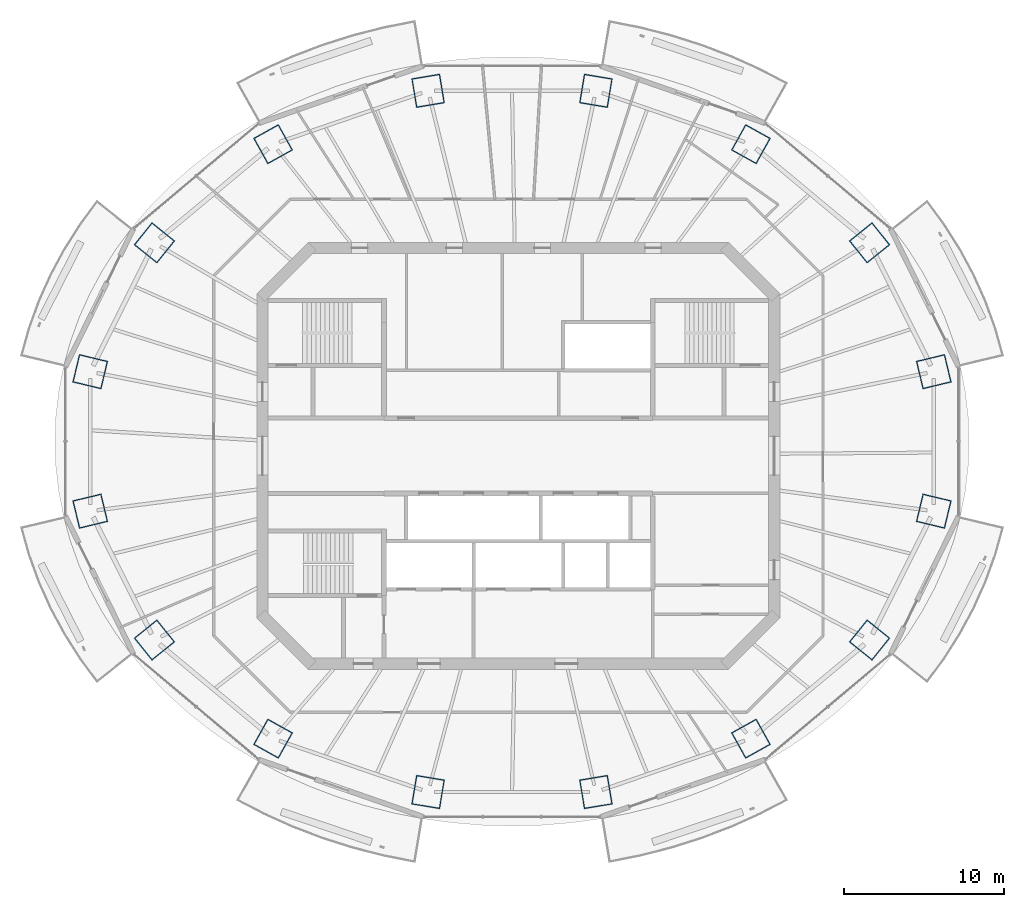
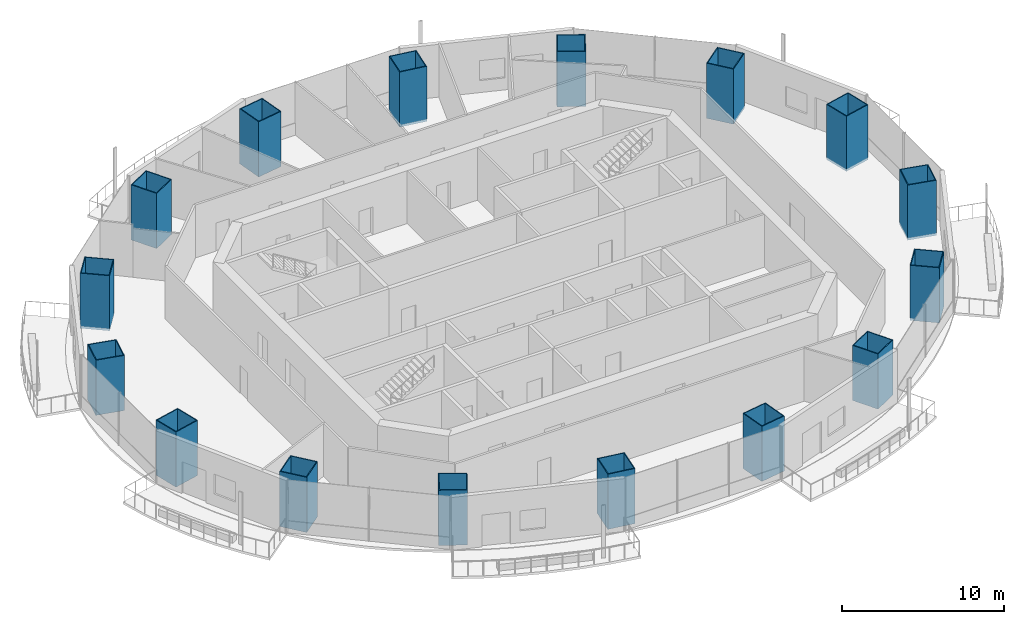
# One storey, part 1 of 16: 16 columns.
"""IFC4 building model written with IfcOpenShell, lengths in metres."""

from ifc_helpers import new_model, si_unit, direction, frame, origin, origin_2d, place, context, subcontext, project, spatial, rectangle, hollow_rectangle, extrude, material, material_profile, profile_set, type_object, element, save


model = new_model("IFC4")

# Units and contexts
model_context = context("Model", 3, precision=1e-05, world=origin(), true_north=direction((0.0, 1.0)))
body_context = subcontext(model_context, "Body", "Model", "MODEL_VIEW")
ifc_project = project(units=[si_unit("LENGTHUNIT", "METRE"), si_unit("AREAUNIT", "SQUARE_METRE"), si_unit("VOLUMEUNIT", "CUBIC_METRE"), si_unit("PLANEANGLEUNIT", "RADIAN"), si_unit("MASSUNIT", "GRAM", prefix="KILO")], contexts=[model_context])

# Site, building, storey
site_placement = place(None, origin())
site = spatial("IfcSite", under=ifc_project, at=site_placement, CompositionType="ELEMENT")
building_placement = place(site_placement, origin())
building = spatial("IfcBuilding", under=site, at=building_placement, Name="Marenthal Gate Tower", CompositionType="ELEMENT")
storey_placement = place(building_placement, frame((0.0, 0.0, 305.25)))
storey = spatial("IfcBuildingStorey", under=building, at=storey_placement, Name="L68", CompositionType="ELEMENT", Elevation=305.25)

# Columns
ifc_material_1 = material(Name="Steel S460", Category="steel")
ifc_material_profile_1 = material_profile(ifc_material_1, hollow_rectangle(XDim=1.800048828125, YDim=1.85009765625, WallThickness=0.06005859375, at=origin_2d()), Name="CFT BOX 1850X1800X60")
ifc_material_2 = material(Name="Concrete 70 MPa", Category="concrete")
ifc_material_profile_2 = material_profile(ifc_material_2, rectangle(XDim=1.679931640625, YDim=1.72998046875, at=origin_2d()), Name="CFT BOX 1850X1800X60 INFILL")
ifc_profile_set = profile_set([ifc_material_profile_1, ifc_material_profile_2], Name="Steel S460 shell, Concrete 70 MPa infill")
column_type = type_object("IfcColumnType", Name="CFT BOX 1850X1800X60", PredefinedType="COLUMN", material=ifc_profile_set)
for number, where, z_axis, x_axis, name in (
    (1, (25.979248046875, 5.26171875, -0.179931640625), (0.0, 0.0, 1.0), (0.232715542746, -0.972544845323, 0.0), "COL-L68-01"),
    (2, (21.963134765625, 13.3212890625, -0.179931640625), (0.0, 0.0, 1.0), (0.626499070203, -0.779422167401, 0.0), "COL-L68-02"),
    (3, (14.54248046875, 19.489990234375, -0.179931640625), (0.0, 0.0, 1.0), (0.874199687872, -0.485566582174, 0.0), "COL-L68-03"),
    (4, (4.84716796875, 22.828369140625, -0.179931640625), (0.0, 0.0, 1.0), (0.986603499759, -0.163136550975, 0.0), "COL-L68-04"),
    (5, (-5.647216796875, 22.828369140625, -0.179931640625), (0.0, 0.0, 1.0), (0.986603499759, 0.163136550975, 0.0), "COL-L68-05"),
    (6, (-15.342529296875, 19.489990234375, -0.179931640625), (0.0, 0.0, 1.0), (0.874199687872, 0.485566582174, 0.0), "COL-L68-06"),
    (7, (-22.76318359375, 13.3212890625, -0.179931640625), (0.0, 0.0, 1.0), (0.626499070203, 0.779422167401, 0.0), "COL-L68-07"),
    (8, (-26.779296875, 5.26171875, -0.179931640625), (0.0, 0.0, 1.0), (0.232715542746, 0.972544845323, 0.0), "COL-L68-08"),
    (9, (-26.779296875, -3.4619140625, -0.179931640625), (0.0, 0.0, 1.0), (-0.232715542746, 0.972544845323, 0.0), "COL-L68-09"),
    (10, (-22.76318359375, -11.521484375, -0.179931640625), (0.0, 0.0, 1.0), (-0.626499070203, 0.779422167401, 0.0), "COL-L68-10"),
    (11, (-15.342529296875, -17.68994140625, -0.179931640625), (0.0, 0.0, 1.0), (-0.874199687872, 0.485566582174, 0.0), "COL-L68-11"),
    (12, (-5.647216796875, -21.0283203125, -0.179931640625), (0.0, 0.0, 1.0), (-0.986603499759, 0.163136550975, 0.0), "COL-L68-12"),
    (13, (4.84716796875, -21.0283203125, -0.179931640625), (0.0, 0.0, 1.0), (-0.986603499759, -0.163136550975, 0.0), "COL-L68-13"),
    (14, (14.54248046875, -17.68994140625, -0.179931640625), (0.0, 0.0, 1.0), (-0.874199687872, -0.485566582174, 0.0), "COL-L68-14"),
    (15, (21.963134765625, -11.521484375, -0.179931640625), (0.0, 0.0, 1.0), (-0.626499070203, -0.779422167401, 0.0), "COL-L68-15"),
    (16, (25.979248046875, -3.4619140625, -0.179931640625), (0.0, 0.0, 1.0), (-0.232715542746, -0.972544845323, 0.0), "COL-L68-16"),
):
    element("IfcColumn", number, at=place(storey_placement, frame(where, z_axis=z_axis, x_axis=x_axis)), inside=storey, type_object=column_type, Name=name, PredefinedType="COLUMN", context=body_context, shape_type="SweptSolid", body=[
        extrude(hollow_rectangle(XDim=1.800048828125, YDim=1.85009765625, WallThickness=0.06005859375, at=origin_2d()), origin(), (0.0, 0.0, 1.0), 4.14990234375),
    ])

save(model, "model.ifc")
